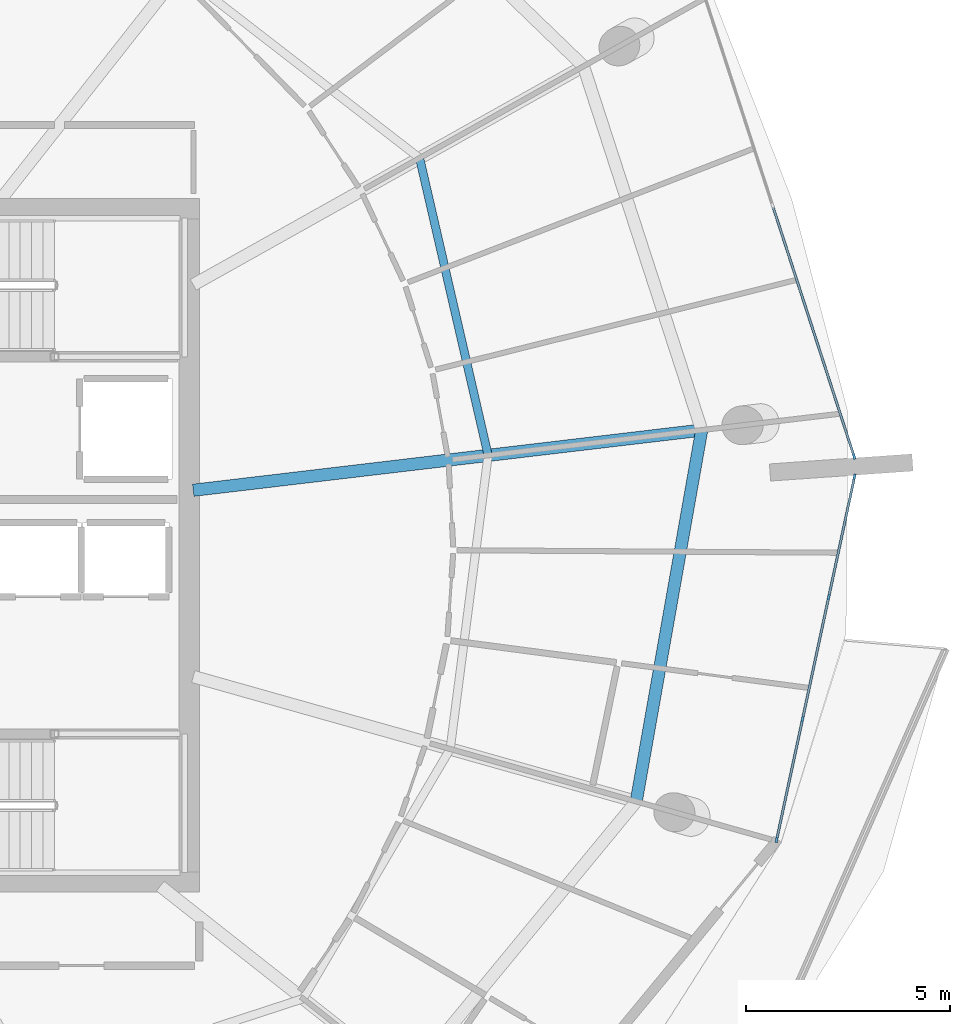
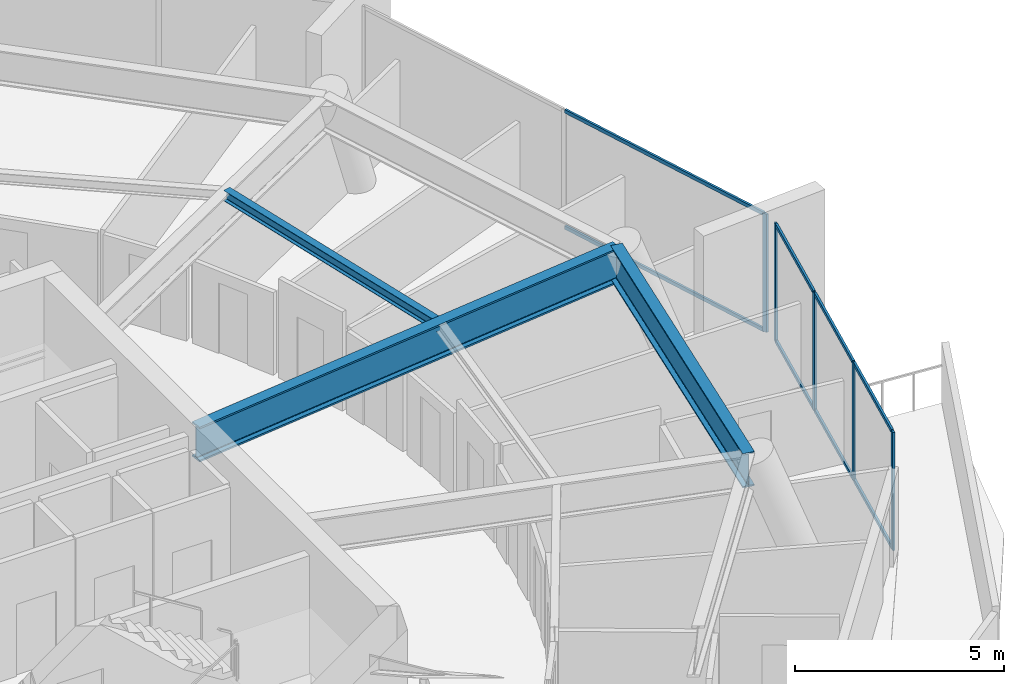
# One storey, part 9 of 24: 13 members, 3 beams, 2 elements without a shape of their own.
"""IFC4 building model written with IfcOpenShell, lengths in metres."""

from ifc_helpers import new_model, si_unit, direction, frame, origin, origin_2d, place, context, subcontext, project, spatial, rectangle, i_section, extrude, material, layer, layer_set, material_profile, profile_set, type_object, element, aggregate, save


model = new_model("IFC4")

# Units and contexts
model_context = context("Model", 3, precision=1e-05, world=origin(), true_north=direction((0.0, 1.0)))
body_context = subcontext(model_context, "Body", "Model", "MODEL_VIEW")
ifc_project = project(units=[si_unit("LENGTHUNIT", "METRE"), si_unit("AREAUNIT", "SQUARE_METRE"), si_unit("VOLUMEUNIT", "CUBIC_METRE"), si_unit("PLANEANGLEUNIT", "RADIAN"), si_unit("MASSUNIT", "GRAM", prefix="KILO")], contexts=[model_context])

# Site, building, storey
site_placement = place(None, origin())
site = spatial("IfcSite", under=ifc_project, at=site_placement, CompositionType="ELEMENT")
building_placement = place(site_placement, origin())
building = spatial("IfcBuilding", under=site, at=building_placement, Name="Kazma Halo Residences", CompositionType="ELEMENT")
storey_placement = place(building_placement, frame((0.0, 0.0, 309.85009765625)))
storey = spatial("IfcBuildingStorey", under=building, at=storey_placement, Name="L78", CompositionType="ELEMENT", Elevation=309.85009765625)

# Beams
ifc_material_1 = material(Name="Steel S355", Category="steel")
ifc_material_profile_1 = material_profile(ifc_material_1, i_section(OverallWidth=0.202880859375, OverallDepth=0.302978515625, WebThickness=0.007568359375, FlangeThickness=0.01318359375, FilletRadius=0.013916015625, at=origin_2d()), Name="W310x60")
ifc_profile_set_1 = profile_set([ifc_material_profile_1], Name="Steel S355")
beam_type_1 = type_object("IfcBeamType", Name="BM-SEC-W310A", PredefinedType="JOIST", material=ifc_profile_set_1)
beam_1_placement = place(storey_placement, frame((66.626953125, 44.20458984375, 3.29833984375), z_axis=(-0.224709269338, 0.974425853656, 0.0), x_axis=(-0.974425853656, -0.224709269338, 0.0)))
element("IfcBeam", 1, at=beam_1_placement, inside=storey, type_object=beam_type_1, Name="L78 circumferential floor joist 16", PredefinedType="JOIST", context=body_context, shape_type="SweptSolid", body=[
    extrude(i_section(OverallWidth=0.202880859375, OverallDepth=0.302978515625, WebThickness=0.007568359375, FlangeThickness=0.01318359375, FilletRadius=0.013916015625, at=origin_2d()), origin(), (0.0, 0.0, 1.0), 7.47705078125),
])
ifc_material_profile_2 = material_profile(ifc_material_1, i_section(OverallWidth=0.302001953125, OverallDepth=1.01806640625, WebThickness=0.021484375, FlangeThickness=0.049072265625, FilletRadius=0.028076171875, at=origin_2d()), Name="W1000x443")
ifc_profile_set_2 = profile_set([ifc_material_profile_2], Name="Steel S355")
beam_type_2 = type_object("IfcBeamType", Name="BM-TRANS-W1000A", PredefinedType="BEAM", material=ifc_profile_set_2)
beam_2_placement = place(storey_placement, frame((59.39990234375, 43.349365234375, 2.94091796875), z_axis=(0.993067878665, 0.117542283299, 0.0), x_axis=(-0.117542283299, 0.993067878665, 0.0)))
element("IfcBeam", 2, at=beam_2_placement, inside=storey, type_object=beam_type_2, Name="L78 podium radial transfer girder 16", PredefinedType="BEAM", context=body_context, shape_type="SweptSolid", body=[
    extrude(i_section(OverallWidth=0.302001953125, OverallDepth=1.01806640625, WebThickness=0.021484375, FlangeThickness=0.049072265625, FilletRadius=0.028076171875, at=origin_2d()), origin(), (0.0, 0.0, 1.0), 12.54736328125),
])
ifc_material_profile_3 = material_profile(ifc_material_1, i_section(OverallWidth=0.300048828125, OverallDepth=1.0, WebThickness=0.01904296875, FlangeThickness=0.0400390625, FilletRadius=0.02587890625, at=origin_2d()), Name="W1000x371")
ifc_profile_set_3 = profile_set([ifc_material_profile_3], Name="Steel S355")
beam_type_3 = type_object("IfcBeamType", Name="BM-TRANS-W1000B", PredefinedType="BEAM", material=ifc_profile_set_3)
beam_3_placement = place(storey_placement, frame((70.255615234375, 35.723388671875, 2.949951171875), z_axis=(0.173649692956, 0.984807485825, 0.0), x_axis=(-0.984807485825, 0.173649692956, 0.0)))
element("IfcBeam", 3, at=beam_3_placement, inside=storey, type_object=beam_type_3, Name="L78 perimeter ring beam 15", PredefinedType="BEAM", context=body_context, shape_type="SweptSolid", body=[
    extrude(i_section(OverallWidth=0.300048828125, OverallDepth=1.0, WebThickness=0.01904296875, FlangeThickness=0.0400390625, FilletRadius=0.02587890625, at=origin_2d()), origin(), (0.0, 0.0, 1.0), 9.2412109375),
])

# Curtain wall, members
ifc_material_2 = material(Name="Aluminium AW-6063 T6 and Triple-Silver Low-E Glass", Category="aluminium")
ifc_layer = layer(ifc_material_2, 0.139892578125)
ifc_layer_set = layer_set([ifc_layer], Name="Aluminium AW-6063 T6 and Triple-Silver Low-E Glass")
curtain_wall_type = type_object("IfcCurtainWallType", Name="CW-SYS-5", PredefinedType="NOTDEFINED", material=ifc_layer_set)
curtain_wall_1_placement = place(storey_placement, origin())
curtain_wall_1 = element("IfcCurtainWall", 4, at=curtain_wall_1_placement, inside=storey, type_object=curtain_wall_type, Name="L78 unitised curtain wall B15", PredefinedType="NOTDEFINED")
ifc_material_3 = material(Name="Aluminium AW-6063 T6", Category="aluminium")
ifc_material_profile_4 = material_profile(ifc_material_3, rectangle(XDim=0.06005859375, YDim=0.139892578125, at=origin_2d()), Name="CWM-60x140")
ifc_profile_set_4 = profile_set([ifc_material_profile_4], Name="Aluminium AW-6063 T6")
member_type_1 = type_object("IfcMemberType", Name="CW-SYS-5-MUL", PredefinedType="MULLION", material=ifc_profile_set_4)
member_1_placement = place(storey_placement, frame((73.69677734375, 34.783935546875, 0.0), z_axis=(0.0, 0.0, 1.0), x_axis=(-0.977766142348, 0.209698285347, 0.0)))
member_1 = element("IfcMember", 5, at=member_1_placement, type_object=member_type_1, Name="CWS-5 mullion 1", PredefinedType="MULLION", context=body_context, shape_type="SweptSolid", body=[
    extrude(rectangle(XDim=0.06005859375, YDim=0.139892578125, at=origin_2d()), origin(), (0.0, 0.0, 1.0), 3.449951171875),
])
member_2_placement = place(storey_placement, frame((74.3310546875, 37.74072265625, 0.0), z_axis=(0.0, 0.0, 1.0), x_axis=(-0.977766142348, 0.209698285347, 0.0)))
member_2 = element("IfcMember", 6, at=member_2_placement, type_object=member_type_1, Name="CWS-5 mullion 2", PredefinedType="MULLION", context=body_context, shape_type="SweptSolid", body=[
    extrude(rectangle(XDim=0.06005859375, YDim=0.139892578125, at=origin_2d()), origin(), (0.0, 0.0, 1.0), 3.449951171875),
])
member_3_placement = place(storey_placement, frame((74.971435546875, 40.726806640625, 0.0), z_axis=(0.0, 0.0, 1.0), x_axis=(-0.977766142348, 0.209698285347, 0.0)))
member_3 = element("IfcMember", 7, at=member_3_placement, type_object=member_type_1, Name="CWS-5 mullion 3", PredefinedType="MULLION", context=body_context, shape_type="SweptSolid", body=[
    extrude(rectangle(XDim=0.06005859375, YDim=0.139892578125, at=origin_2d()), origin(), (0.0, 0.0, 1.0), 3.449951171875),
])
member_4_placement = place(storey_placement, frame((75.605712890625, 43.68359375, 0.0), z_axis=(0.0, 0.0, 1.0), x_axis=(-0.977766142348, 0.209698285347, 0.0)))
member_4 = element("IfcMember", 8, at=member_4_placement, type_object=member_type_1, Name="CWS-5 mullion 4", PredefinedType="MULLION", context=body_context, shape_type="SweptSolid", body=[
    extrude(rectangle(XDim=0.06005859375, YDim=0.139892578125, at=origin_2d()), origin(), (0.0, 0.0, 1.0), 3.449951171875),
])

# Curtain wall, member
curtain_wall_2_placement = place(storey_placement, origin())
curtain_wall_2 = element("IfcCurtainWall", 9, at=curtain_wall_2_placement, inside=storey, type_object=curtain_wall_type, Name="L78 unitised curtain wall B16", PredefinedType="NOTDEFINED")
member_5_placement = place(storey_placement, frame((75.595458984375, 44.1767578125, 0.0), z_axis=(0.0, 0.0, 1.0), x_axis=(-0.951056835679, -0.309016011411, 0.0)))
member_5 = element("IfcMember", 10, at=member_5_placement, type_object=member_type_1, Name="CWS-5 mullion 1", PredefinedType="MULLION", context=body_context, shape_type="SweptSolid", body=[
    extrude(rectangle(XDim=0.06005859375, YDim=0.139892578125, at=origin_2d()), origin(), (0.0, 0.0, 1.0), 3.449951171875),
])

# Member
ifc_material_profile_5 = material_profile(ifc_material_3, rectangle(XDim=0.06005859375, YDim=0.10498046875, at=origin_2d()), Name="CWT-60x105")
ifc_profile_set_5 = profile_set([ifc_material_profile_5], Name="Aluminium AW-6063 T6")
member_type_2 = type_object("IfcMemberType", Name="CW-SYS-5-TRN", PredefinedType="USERDEFINED", material=ifc_profile_set_5)
member_6_placement = place(storey_placement, frame((73.703125, 34.813232421875, 0.02978515625), z_axis=(0.209703459935, 0.977765032557, 0.0), x_axis=(-0.977765032557, 0.209703459935, 0.0)))
member_6 = element("IfcMember", 11, at=member_6_placement, type_object=member_type_2, Name="CWS-5 transom 1.1", ObjectType="TRANSOM", PredefinedType="USERDEFINED", context=body_context, shape_type="SweptSolid", body=[
    extrude(rectangle(XDim=0.06005859375, YDim=0.10498046875, at=origin_2d()), origin(), (0.0, 0.0, 1.0), 2.964111328125),
])

member_7_placement = place(storey_placement, frame((73.703125, 34.813232421875, 3.419921875), z_axis=(0.209703459935, 0.977765032557, 0.0), x_axis=(-0.977765032557, 0.209703459935, 0.0)))
member_7 = element("IfcMember", 12, at=member_7_placement, type_object=member_type_2, Name="CWS-5 transom 1.2", ObjectType="TRANSOM", PredefinedType="USERDEFINED", context=body_context, shape_type="SweptSolid", body=[
    extrude(rectangle(XDim=0.06005859375, YDim=0.10498046875, at=origin_2d()), origin(), (0.0, 0.0, 1.0), 2.964111328125),
])

member_8_placement = place(storey_placement, frame((74.33740234375, 37.77001953125, 0.02978515625), z_axis=(0.209646031258, 0.97777734765, 0.0), x_axis=(-0.97777734765, 0.209646031258, 0.0)))
member_8 = element("IfcMember", 13, at=member_8_placement, type_object=member_type_2, Name="CWS-5 transom 2.1", ObjectType="TRANSOM", PredefinedType="USERDEFINED", context=body_context, shape_type="SweptSolid", body=[
    extrude(rectangle(XDim=0.06005859375, YDim=0.10498046875, at=origin_2d()), origin(), (0.0, 0.0, 1.0), 2.994140625),
])

member_9_placement = place(storey_placement, frame((74.33740234375, 37.77001953125, 3.419921875), z_axis=(0.209646031258, 0.97777734765, 0.0), x_axis=(-0.97777734765, 0.209646031258, 0.0)))
member_9 = element("IfcMember", 14, at=member_9_placement, type_object=member_type_2, Name="CWS-5 transom 2.2", ObjectType="TRANSOM", PredefinedType="USERDEFINED", context=body_context, shape_type="SweptSolid", body=[
    extrude(rectangle(XDim=0.06005859375, YDim=0.10498046875, at=origin_2d()), origin(), (0.0, 0.0, 1.0), 2.994140625),
])

member_10_placement = place(storey_placement, frame((74.977783203125, 40.756103515625, 0.02978515625), z_axis=(0.209703459935, 0.977765032557, 0.0), x_axis=(-0.977765032557, 0.209703459935, 0.0)))
member_10 = element("IfcMember", 15, at=member_10_placement, type_object=member_type_2, Name="CWS-5 transom 3.1", ObjectType="TRANSOM", PredefinedType="USERDEFINED", context=body_context, shape_type="SweptSolid", body=[
    extrude(rectangle(XDim=0.06005859375, YDim=0.10498046875, at=origin_2d()), origin(), (0.0, 0.0, 1.0), 2.964111328125),
])

member_11_placement = place(storey_placement, frame((74.977783203125, 40.756103515625, 3.419921875), z_axis=(0.209703459935, 0.977765032557, 0.0), x_axis=(-0.977765032557, 0.209703459935, 0.0)))
member_11 = element("IfcMember", 16, at=member_11_placement, type_object=member_type_2, Name="CWS-5 transom 3.2", ObjectType="TRANSOM", PredefinedType="USERDEFINED", context=body_context, shape_type="SweptSolid", body=[
    extrude(rectangle(XDim=0.06005859375, YDim=0.10498046875, at=origin_2d()), origin(), (0.0, 0.0, 1.0), 2.964111328125),
])

aggregate(curtain_wall_1, [member_1, member_2, member_3, member_4, member_6, member_7, member_8, member_9, member_10, member_11])

member_12_placement = place(storey_placement, frame((75.586181640625, 44.205322265625, 0.02978515625), z_axis=(-0.309005818912, 0.951060147351, 0.0), x_axis=(-0.951060147351, -0.309005818912, 0.0)))
member_12 = element("IfcMember", 17, at=member_12_placement, type_object=member_type_2, Name="CWS-5 transom 1.1", ObjectType="TRANSOM", PredefinedType="USERDEFINED", context=body_context, shape_type="SweptSolid", body=[
    extrude(rectangle(XDim=0.06005859375, YDim=0.10498046875, at=origin_2d()), origin(), (0.0, 0.0, 1.0), 6.397216796875),
])

member_13_placement = place(storey_placement, frame((75.586181640625, 44.205322265625, 3.419921875), z_axis=(-0.309005818912, 0.951060147351, 0.0), x_axis=(-0.951060147351, -0.309005818912, 0.0)))
member_13 = element("IfcMember", 18, at=member_13_placement, type_object=member_type_2, Name="CWS-5 transom 1.2", ObjectType="TRANSOM", PredefinedType="USERDEFINED", context=body_context, shape_type="SweptSolid", body=[
    extrude(rectangle(XDim=0.06005859375, YDim=0.10498046875, at=origin_2d()), origin(), (0.0, 0.0, 1.0), 6.397216796875),
])

aggregate(curtain_wall_2, [member_5, member_12, member_13])

save(model, "model.ifc")
